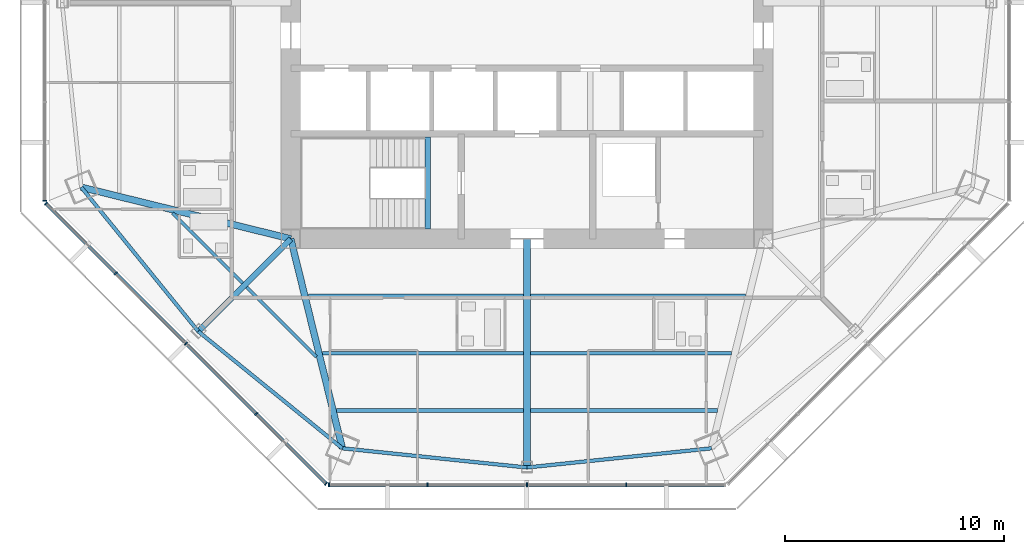
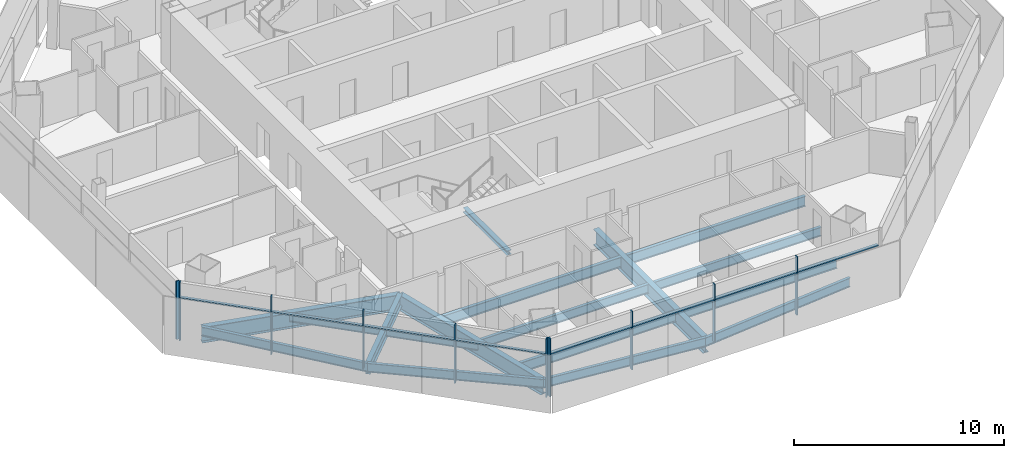
# One storey, part 2 of 15: 18 members, 17 beams, 3 elements without a shape of their own.
"""IFC4 building model written with IfcOpenShell, lengths in metres."""

from ifc_helpers import new_model, si_unit, direction, frame, origin, origin_2d, place, context, subcontext, project, spatial, rectangle, i_section, extrude, source, transform, mapped, material, material_profile, profile_set, type_object, type_shapes, element, aggregate, save


model = new_model("IFC4")

# Units and contexts
model_context = context("Model", 3, precision=1e-05, world=origin(), true_north=direction((0.0, 1.0)))
body_context = subcontext(model_context, "Body", "Model", "MODEL_VIEW")
ifc_project = project(units=[si_unit("LENGTHUNIT", "METRE"), si_unit("AREAUNIT", "SQUARE_METRE"), si_unit("VOLUMEUNIT", "CUBIC_METRE"), si_unit("PLANEANGLEUNIT", "RADIAN"), si_unit("MASSUNIT", "GRAM", prefix="KILO")], contexts=[model_context])

# Site, building, storey
site_placement = place(None, origin())
site = spatial("IfcSite", under=ifc_project, at=site_placement, CompositionType="ELEMENT")
building_placement = place(site_placement, origin())
building = spatial("IfcBuilding", under=site, at=building_placement, Name="Mashrafa Tower", CompositionType="ELEMENT")
storey_placement = place(building_placement, frame((0.0, 0.0, 210.800048828125)))
storey = spatial("IfcBuildingStorey", under=building, at=storey_placement, Name="L48", CompositionType="ELEMENT", Elevation=210.800048828125)

# Beams
ifc_material_1 = material(Name="Steel ASTM A992", Category="steel")
ifc_material_profile_1 = material_profile(ifc_material_1, i_section(OverallWidth=0.15234375, OverallDepth=0.449462890625, WebThickness=0.007568359375, FlangeThickness=0.0107421875, FilletRadius=0.01025390625, at=origin_2d()), Name="W18X35")
ifc_profile_set_1 = profile_set([ifc_material_profile_1], Name="Steel ASTM A992")
beam_type_1 = type_object("IfcBeamType", Name="Beam W18X35", PredefinedType="BEAM", material=ifc_profile_set_1)
for number, where, z_axis, x_axis, name in (
    (1, (-13.00537109375, -12.82568359375, -0.4248046875), (-0.707106781187, 0.707106781187, 0.0), (-0.707106781187, -0.707106781187, 0.0), "Floor beam L48 008"),
    (2, (-9.6259765625, -16.205078125, -0.4248046875), (-0.707106781187, 0.707106781187, 0.0), (-0.707106781187, -0.707106781187, 0.0), "Floor beam L48 012"),
):
    element("IfcBeam", number, at=place(storey_placement, frame(where, z_axis=z_axis, x_axis=x_axis)), inside=storey, type_object=beam_type_1, Name=name, PredefinedType="BEAM", context=body_context, shape_type="SweptSolid", body=[
        extrude(i_section(OverallWidth=0.15234375, OverallDepth=0.449462890625, WebThickness=0.007568359375, FlangeThickness=0.0107421875, FilletRadius=0.01025390625, at=origin_2d()), origin(), (0.0, 0.0, 1.0), 4.525146484375),
    ])
ifc_material_2 = material(Name="Steel ASTM A992", Category="steel")
ifc_material_profile_2 = material_profile(ifc_material_2, i_section(OverallWidth=0.1650390625, OverallDepth=0.52587890625, WebThickness=0.0087890625, FlangeThickness=0.011474609375, FilletRadius=0.0126953125, at=origin_2d()), Name="W21X44")
ifc_profile_set_2 = profile_set([ifc_material_profile_2], Name="Steel ASTM A992")
beam_type_2 = type_object("IfcBeamType", Name="Beam W21X44", PredefinedType="BEAM", material=ifc_profile_set_2)
for number, where, z_axis, x_axis, name in (
    (3, (-0.15380859375, -16.028564453125, -0.462890625), (-1.0, 0.0, 0.0), (0.0, -1.0, 0.0), "Floor beam L48 015"),
    (4, (9.35546875, -16.028564453125, -0.462890625), (-1.0, 0.0, 0.0), (0.0, -1.0, 0.0), "Floor beam L48 022"),
):
    element("IfcBeam", number, at=place(storey_placement, frame(where, z_axis=z_axis, x_axis=x_axis)), inside=storey, type_object=beam_type_2, Name=name, PredefinedType="BEAM", context=body_context, shape_type="SweptSolid", body=[
        extrude(i_section(OverallWidth=0.1650390625, OverallDepth=0.52587890625, WebThickness=0.0087890625, FlangeThickness=0.011474609375, FilletRadius=0.0126953125, at=origin_2d()), origin(), (0.0, 0.0, 1.0), 9.20166015625),
    ])
for number, where, z_axis, x_axis, name in (
    (5, (-20.37890625, -8.441162109375, -0.462890625), (0.630141993173, -0.776479921466, 0.0), (0.776479921466, 0.630141993173, 0.0), "Spandrel beam L48 050"),
    (6, (-15.031005859375, -15.031005859375, -0.462890625), (0.776479921466, -0.630141993173, 0.0), (0.630141993173, 0.776479921466, 0.0), "Spandrel beam L48 052"),
    (7, (-8.441162109375, -20.37890625, -0.462890625), (0.994631925651, -0.103476241115, 0.0), (0.103476241115, 0.994631925651, 0.0), "Spandrel beam L48 054"),
    (8, (0.0, -21.257080078125, -0.462890625), (0.994631925651, 0.103476241115, 0.0), (-0.103476241115, 0.994631925651, 0.0), "Spandrel beam L48 056"),
):
    element("IfcBeam", number, at=place(storey_placement, frame(where, z_axis=z_axis, x_axis=x_axis)), inside=storey, type_object=beam_type_2, Name=name, PredefinedType="BEAM", context=body_context, shape_type="SweptSolid", body=[
        extrude(i_section(OverallWidth=0.1650390625, OverallDepth=0.52587890625, WebThickness=0.0087890625, FlangeThickness=0.011474609375, FilletRadius=0.0126953125, at=origin_2d()), origin(), (0.0, 0.0, 1.0), 8.48681640625),
    ])
ifc_material_3 = material(Name="Steel ASTM A992", Category="steel")
ifc_material_profile_3 = material_profile(ifc_material_3, i_section(OverallWidth=0.177978515625, OverallDepth=0.599365234375, WebThickness=0.010009765625, FlangeThickness=0.012939453125, FilletRadius=0.012939453125, at=origin_2d()), Name="W24X55")
ifc_profile_set_3 = profile_set([ifc_material_profile_3], Name="Steel ASTM A992")
beam_type_3 = type_object("IfcBeamType", Name="Beam W24X55", PredefinedType="BEAM", material=ifc_profile_set_3)
beam_1_placement = place(storey_placement, frame((-0.15380859375, -18.642822265625, -0.499755859375), z_axis=(-1.0, 0.0, 0.0), x_axis=(0.0, -1.0, 0.0)))
element("IfcBeam", 9, at=beam_1_placement, inside=storey, type_object=beam_type_3, Name="Floor beam L48 014", PredefinedType="BEAM", context=body_context, shape_type="SweptSolid", body=[
    extrude(i_section(OverallWidth=0.177978515625, OverallDepth=0.599365234375, WebThickness=0.010009765625, FlangeThickness=0.012939453125, FilletRadius=0.012939453125, at=origin_2d()), origin(), (0.0, 0.0, 1.0), 8.557861328125),
])
beam_2_placement = place(storey_placement, frame((-0.15380859375, -13.414306640625, -0.499755859375), z_axis=(-1.0, 0.0, 0.0), x_axis=(0.0, -1.0, 0.0)))
element("IfcBeam", 10, at=beam_2_placement, inside=storey, type_object=beam_type_3, Name="Floor beam L48 016", PredefinedType="BEAM", context=body_context, shape_type="SweptSolid", body=[
    extrude(i_section(OverallWidth=0.177978515625, OverallDepth=0.599365234375, WebThickness=0.010009765625, FlangeThickness=0.012939453125, FilletRadius=0.012939453125, at=origin_2d()), origin(), (0.0, 0.0, 1.0), 9.845458984375),
])
beam_3_placement = place(storey_placement, frame((8.711669921875, -18.642822265625, -0.499755859375), z_axis=(-1.0, 0.0, 0.0), x_axis=(0.0, -1.0, 0.0)))
element("IfcBeam", 11, at=beam_3_placement, inside=storey, type_object=beam_type_3, Name="Floor beam L48 020", PredefinedType="BEAM", context=body_context, shape_type="SweptSolid", body=[
    extrude(i_section(OverallWidth=0.177978515625, OverallDepth=0.599365234375, WebThickness=0.010009765625, FlangeThickness=0.012939453125, FilletRadius=0.012939453125, at=origin_2d()), origin(), (0.0, 0.0, 1.0), 8.557861328125),
])
beam_4_placement = place(storey_placement, frame((9.999267578125, -13.414306640625, -0.499755859375), z_axis=(-1.0, 0.0, 0.0), x_axis=(0.0, -1.0, 0.0)))
element("IfcBeam", 12, at=beam_4_placement, inside=storey, type_object=beam_type_3, Name="Floor beam L48 023", PredefinedType="BEAM", context=body_context, shape_type="SweptSolid", body=[
    extrude(i_section(OverallWidth=0.177978515625, OverallDepth=0.599365234375, WebThickness=0.010009765625, FlangeThickness=0.012939453125, FilletRadius=0.012939453125, at=origin_2d()), origin(), (0.0, 0.0, 1.0), 9.845458984375),
])
ifc_material_4 = material(Name="Steel ASTM A992", Category="steel")
ifc_material_profile_4 = material_profile(ifc_material_4, i_section(OverallWidth=0.25390625, OverallDepth=0.67822265625, WebThickness=0.01171875, FlangeThickness=0.016357421875, FilletRadius=0.01513671875, at=origin_2d()), Name="W27X84")
ifc_profile_set_4 = profile_set([ifc_material_profile_4], Name="Steel ASTM A992")
beam_type_4 = type_object("IfcBeamType", Name="Beam W27X84", PredefinedType="BEAM", material=ifc_profile_set_4)
beam_5_placement = place(storey_placement, frame((-10.800048828125, -10.800048828125, -0.5390625), z_axis=(-0.707106781187, -0.707106781187, 0.0), x_axis=(0.707106781187, -0.707106781187, 0.0)))
element("IfcBeam", 13, at=beam_5_placement, inside=storey, type_object=beam_type_4, Name="Radial girder L48 034", PredefinedType="BEAM", context=body_context, shape_type="SweptSolid", body=[
    extrude(i_section(OverallWidth=0.25390625, OverallDepth=0.67822265625, WebThickness=0.01171875, FlangeThickness=0.016357421875, FilletRadius=0.01513671875, at=origin_2d()), origin(), (0.0, 0.0, 1.0), 5.9833984375),
])
ifc_material_5 = material(Name="Steel ASTM A992", Category="steel")
ifc_material_profile_5 = material_profile(ifc_material_5, i_section(OverallWidth=0.3046875, OverallDepth=0.911865234375, WebThickness=0.015869140625, FlangeThickness=0.02392578125, FilletRadius=0.01904296875, at=origin_2d()), Name="W36X150")
ifc_profile_set_5 = profile_set([ifc_material_profile_5], Name="Steel ASTM A992")
beam_type_5 = type_object("IfcBeamType", Name="Beam W36X150", PredefinedType="BEAM", material=ifc_profile_set_5)
for number, where, z_axis, x_axis, name in (
    (14, (-10.800048828125, -10.800048828125, -0.656005859375), (-0.9709910152, 0.2391159727, 0.0), (-0.2391159727, -0.9709910152, 0.0), "Radial girder L48 033"),
    (15, (-10.800048828125, -10.800048828125, -0.656005859375), (0.2391159727, -0.9709910152, 0.0), (0.9709910152, 0.2391159727, 0.0), "Radial girder L48 035"),
):
    element("IfcBeam", number, at=place(storey_placement, frame(where, z_axis=z_axis, x_axis=x_axis)), inside=storey, type_object=beam_type_5, Name=name, PredefinedType="BEAM", context=body_context, shape_type="SweptSolid", body=[
        extrude(i_section(OverallWidth=0.3046875, OverallDepth=0.911865234375, WebThickness=0.015869140625, FlangeThickness=0.02392578125, FilletRadius=0.01904296875, at=origin_2d()), origin(), (0.0, 0.0, 1.0), 9.864990234375),
    ])
ifc_material_6 = material(Name="Steel ASTM A992", Category="steel")
ifc_material_profile_6 = material_profile(ifc_material_6, i_section(OverallWidth=0.307373046875, OverallDepth=0.927001953125, WebThickness=0.01953125, FlangeThickness=0.031982421875, FilletRadius=0.01904296875, at=origin_2d()), Name="W36X194")
ifc_profile_set_6 = profile_set([ifc_material_profile_6], Name="Steel ASTM A992")
beam_type_6 = type_object("IfcBeamType", Name="Beam W36X194", PredefinedType="BEAM", material=ifc_profile_set_6)
beam_6_placement = place(storey_placement, frame((0.0, -10.800048828125, -0.66357421875), z_axis=(0.0, -1.0, 0.0), x_axis=(1.0, 0.0, 0.0)))
element("IfcBeam", 16, at=beam_6_placement, inside=storey, type_object=beam_type_6, Name="Radial girder L48 040", PredefinedType="BEAM", context=body_context, shape_type="SweptSolid", body=[
    extrude(i_section(OverallWidth=0.307373046875, OverallDepth=0.927001953125, WebThickness=0.01953125, FlangeThickness=0.031982421875, FilletRadius=0.01904296875, at=origin_2d()), origin(), (0.0, 0.0, 1.0), 10.45703125),
])
ifc_material_7 = material(Name="Steel ASTM A992", Category="steel")
ifc_material_profile_7 = material_profile(ifc_material_7, i_section(OverallWidth=0.25390625, OverallDepth=0.25390625, WebThickness=0.008544921875, FlangeThickness=0.01416015625, FilletRadius=0.010009765625, at=origin_2d()), Name="W10X49")
ifc_profile_set_7 = profile_set([ifc_material_profile_7], Name="Steel ASTM A992")
beam_type_7 = type_object("IfcBeamType", Name="Hoistway beam W10X49", PredefinedType="BEAM", material=ifc_profile_set_7)
beam_7_placement = place(storey_placement, frame((-4.530029296875, -10.35009765625, -0.3271484375), z_axis=(0.0, 1.0, 0.0), x_axis=(-1.0, 0.0, 0.0)))
element("IfcBeam", 17, at=beam_7_placement, inside=storey, type_object=beam_type_7, Name="Stair S3 landing beam L48", PredefinedType="BEAM", context=body_context, shape_type="SweptSolid", body=[
    extrude(i_section(OverallWidth=0.25390625, OverallDepth=0.25390625, WebThickness=0.008544921875, FlangeThickness=0.01416015625, FilletRadius=0.010009765625, at=origin_2d()), origin(), (0.0, 0.0, 1.0), 4.2001953125),
])

# Curtain wall, member
ifc_material_8 = material(Name="Unitised aluminium curtain wall", Category="aluminium")
curtain_wall_type = type_object("IfcCurtainWallType", Name="Apartment curtain wall, zone 3 CW-C 180 deep", PredefinedType="NOTDEFINED", material=ifc_material_8)
curtain_wall_1_placement = place(storey_placement, origin())
curtain_wall_1 = element("IfcCurtainWall", 18, at=curtain_wall_1_placement, inside=storey, type_object=curtain_wall_type, Name="Apartment curtain wall, zone 3 L48 west", PredefinedType="NOTDEFINED")
ifc_material_9 = material(Name="Extruded aluminium mullion", Category="aluminium")
ifc_material_profile_8 = material_profile(ifc_material_9, rectangle(XDim=0.179931640625, YDim=0.06005859375, at=origin_2d()), Name="Mullion 60x180")
ifc_profile_set_8 = profile_set([ifc_material_profile_8], Name="Extruded aluminium mullion")
member_type_1 = type_object("IfcMemberType", Name="Mullion CW-C 60 x 180", PredefinedType="MULLION", material=ifc_profile_set_8)
shared_shape_1 = source(origin(), body_context, "Body", "SweptSolid", [
    extrude(rectangle(XDim=0.179931640625, YDim=0.06005859375, at=origin_2d()), origin(), (0.0, 0.0, 1.0), 3.39990234375),
])
type_shapes(member_type_1, [shared_shape_1])
member_1_placement = place(storey_placement, frame((-22.051513671875, -9.056640625, 0.0), z_axis=(0.0, 0.0, 1.0), x_axis=(1.0, 0.0, 0.0)))
member_1 = element("IfcMember", 19, at=member_1_placement, type_object=member_type_1, Name="CW-C mullion 5", PredefinedType="MULLION", context=body_context, shape_type="MappedRepresentation", body=[
    mapped(shared_shape_1, transform((0.0, 0.0, 0.0))),
])
aggregate(curtain_wall_1, [member_1])

# Curtain wall, members
curtain_wall_2_placement = place(storey_placement, origin())
curtain_wall_2 = element("IfcCurtainWall", 20, at=curtain_wall_2_placement, inside=storey, type_object=curtain_wall_type, Name="Apartment curtain wall, zone 3 L48 south-west", PredefinedType="NOTDEFINED")
member_2_placement = place(storey_placement, frame((-21.996826171875, -9.188720703125, 0.0), z_axis=(0.0, 0.0, 1.0), x_axis=(0.707106781187, 0.707106781187, 0.0)))
member_2 = element("IfcMember", 21, at=member_2_placement, type_object=member_type_1, Name="CW-C mullion 1", PredefinedType="MULLION", context=body_context, shape_type="MappedRepresentation", body=[
    mapped(shared_shape_1, transform((0.0, 0.0, 0.0))),
])
member_3_placement = place(storey_placement, frame((-18.805419921875, -12.380126953125, 0.0), z_axis=(0.0, 0.0, 1.0), x_axis=(0.707106781187, 0.707106781187, 0.0)))
member_3 = element("IfcMember", 22, at=member_3_placement, type_object=member_type_1, Name="CW-C mullion 2", PredefinedType="MULLION", context=body_context, shape_type="MappedRepresentation", body=[
    mapped(shared_shape_1, transform((0.0, 0.0, 0.0))),
])
member_4_placement = place(storey_placement, frame((-15.5927734375, -15.5927734375, 0.0), z_axis=(0.0, 0.0, 1.0), x_axis=(0.707106781187, 0.707106781187, 0.0)))
member_4 = element("IfcMember", 23, at=member_4_placement, type_object=member_type_1, Name="CW-C mullion 3", PredefinedType="MULLION", context=body_context, shape_type="MappedRepresentation", body=[
    mapped(shared_shape_1, transform((0.0, 0.0, 0.0))),
])
member_5_placement = place(storey_placement, frame((-12.380126953125, -18.805419921875, 0.0), z_axis=(0.0, 0.0, 1.0), x_axis=(0.707106781187, 0.707106781187, 0.0)))
member_5 = element("IfcMember", 24, at=member_5_placement, type_object=member_type_1, Name="CW-C mullion 4", PredefinedType="MULLION", context=body_context, shape_type="MappedRepresentation", body=[
    mapped(shared_shape_1, transform((0.0, 0.0, 0.0))),
])
member_6_placement = place(storey_placement, frame((-9.188720703125, -21.996826171875, 0.0), z_axis=(0.0, 0.0, 1.0), x_axis=(0.707106781187, 0.707106781187, 0.0)))
member_6 = element("IfcMember", 25, at=member_6_placement, type_object=member_type_1, Name="CW-C mullion 5", PredefinedType="MULLION", context=body_context, shape_type="MappedRepresentation", body=[
    mapped(shared_shape_1, transform((0.0, 0.0, 0.0))),
])

curtain_wall_3_placement = place(storey_placement, origin())
curtain_wall_3 = element("IfcCurtainWall", 26, at=curtain_wall_3_placement, inside=storey, type_object=curtain_wall_type, Name="Apartment curtain wall, zone 3 L48 south", PredefinedType="NOTDEFINED")
member_7_placement = place(storey_placement, frame((-9.056640625, -22.051513671875, 0.0), z_axis=(0.0, 0.0, 1.0), x_axis=(0.0, 1.0, 0.0)))
member_7 = element("IfcMember", 27, at=member_7_placement, type_object=member_type_1, Name="CW-C mullion 1", PredefinedType="MULLION", context=body_context, shape_type="MappedRepresentation", body=[
    mapped(shared_shape_1, transform((0.0, 0.0, 0.0))),
])
member_8_placement = place(storey_placement, frame((-4.54345703125, -22.051513671875, 0.0), z_axis=(0.0, 0.0, 1.0), x_axis=(0.0, 1.0, 0.0)))
member_8 = element("IfcMember", 28, at=member_8_placement, type_object=member_type_1, Name="CW-C mullion 2", PredefinedType="MULLION", context=body_context, shape_type="MappedRepresentation", body=[
    mapped(shared_shape_1, transform((0.0, 0.0, 0.0))),
])
member_9_placement = place(storey_placement, frame((0.0, -22.051513671875, 0.0), z_axis=(0.0, 0.0, 1.0), x_axis=(0.0, 1.0, 0.0)))
member_9 = element("IfcMember", 29, at=member_9_placement, type_object=member_type_1, Name="CW-C mullion 3", PredefinedType="MULLION", context=body_context, shape_type="MappedRepresentation", body=[
    mapped(shared_shape_1, transform((0.0, 0.0, 0.0))),
])
member_10_placement = place(storey_placement, frame((4.54345703125, -22.051513671875, 0.0), z_axis=(0.0, 0.0, 1.0), x_axis=(0.0, 1.0, 0.0)))
member_10 = element("IfcMember", 30, at=member_10_placement, type_object=member_type_1, Name="CW-C mullion 4", PredefinedType="MULLION", context=body_context, shape_type="MappedRepresentation", body=[
    mapped(shared_shape_1, transform((0.0, 0.0, 0.0))),
])

# Member
ifc_material_10 = material(Name="Extruded aluminium transom", Category="aluminium")
ifc_material_profile_9 = material_profile(ifc_material_10, rectangle(XDim=0.14404296875, YDim=0.074951171875, at=origin_2d()), Name="Transom 75x144")
ifc_profile_set_9 = profile_set([ifc_material_profile_9], Name="Extruded aluminium transom")
member_type_2 = type_object("IfcMemberType", Name="Transom CW-C 75 x 144", PredefinedType="MULLION", material=ifc_profile_set_9)
shared_shape_2 = source(origin(), body_context, "Body", "SweptSolid", [
    extrude(rectangle(XDim=0.14404296875, YDim=0.074951171875, at=origin_2d()), origin(), (0.0, 0.0, 1.0), 4.453369140625),
])
member_11_placement = place(storey_placement, frame((-21.9755859375, -9.2099609375, 2.5), z_axis=(0.707106781187, -0.707106781187, 0.0), x_axis=(0.707106781187, 0.707106781187, 0.0)))
member_11 = element("IfcMember", 31, at=member_11_placement, type_object=member_type_2, Name="CW-C transom 1", PredefinedType="MULLION", context=body_context, shape_type="MappedRepresentation", body=[
    mapped(shared_shape_2, transform((0.0, 0.0, 0.0))),
])

member_12_placement = place(storey_placement, frame((-12.35888671875, -18.82666015625, 2.5), z_axis=(0.707106781187, -0.707106781187, 0.0), x_axis=(0.707106781187, 0.707106781187, 0.0)))
member_12 = element("IfcMember", 32, at=member_12_placement, type_object=member_type_2, Name="CW-C transom 4", PredefinedType="MULLION", context=body_context, shape_type="MappedRepresentation", body=[
    mapped(shared_shape_2, transform((0.0, 0.0, 0.0))),
])

member_13_placement = place(storey_placement, frame((-9.02685546875, -22.051513671875, 2.5), z_axis=(1.0, 0.0, 0.0), x_axis=(0.0, 1.0, 0.0)))
member_13 = element("IfcMember", 33, at=member_13_placement, type_object=member_type_2, Name="CW-C transom 1", PredefinedType="MULLION", context=body_context, shape_type="MappedRepresentation", body=[
    mapped(shared_shape_2, transform((0.0, 0.0, 0.0))),
])

member_14_placement = place(storey_placement, frame((4.573486328125, -22.051513671875, 2.5), z_axis=(1.0, 0.0, 0.0), x_axis=(0.0, 1.0, 0.0)))
member_14 = element("IfcMember", 34, at=member_14_placement, type_object=member_type_2, Name="CW-C transom 4", PredefinedType="MULLION", context=body_context, shape_type="MappedRepresentation", body=[
    mapped(shared_shape_2, transform((0.0, 0.0, 0.0))),
])

shared_shape_3 = source(origin(), body_context, "Body", "SweptSolid", [
    extrude(rectangle(XDim=0.14404296875, YDim=0.074951171875, at=origin_2d()), origin(), (0.0, 0.0, 1.0), 4.4833984375),
])
type_shapes(member_type_2, [shared_shape_2, shared_shape_3])
member_15_placement = place(storey_placement, frame((-18.7841796875, -12.4013671875, 2.5), z_axis=(0.707106781187, -0.707106781187, 0.0), x_axis=(0.707106781187, 0.707106781187, 0.0)))
member_15 = element("IfcMember", 35, at=member_15_placement, type_object=member_type_2, Name="CW-C transom 2", PredefinedType="MULLION", context=body_context, shape_type="MappedRepresentation", body=[
    mapped(shared_shape_3, transform((0.0, 0.0, 0.0))),
])

member_16_placement = place(storey_placement, frame((-15.571533203125, -15.614013671875, 2.5), z_axis=(0.707106781187, -0.707106781187, 0.0), x_axis=(0.707106781187, 0.707106781187, 0.0)))
member_16 = element("IfcMember", 36, at=member_16_placement, type_object=member_type_2, Name="CW-C transom 3", PredefinedType="MULLION", context=body_context, shape_type="MappedRepresentation", body=[
    mapped(shared_shape_3, transform((0.0, 0.0, 0.0))),
])

aggregate(curtain_wall_2, [member_2, member_3, member_4, member_5, member_6, member_11, member_15, member_16, member_12])

member_17_placement = place(storey_placement, frame((-4.513427734375, -22.051513671875, 2.5), z_axis=(1.0, 0.0, 0.0), x_axis=(0.0, 1.0, 0.0)))
member_17 = element("IfcMember", 37, at=member_17_placement, type_object=member_type_2, Name="CW-C transom 2", PredefinedType="MULLION", context=body_context, shape_type="MappedRepresentation", body=[
    mapped(shared_shape_3, transform((0.0, 0.0, 0.0))),
])

member_18_placement = place(storey_placement, frame((0.030029296875, -22.051513671875, 2.5), z_axis=(1.0, 0.0, 0.0), x_axis=(0.0, 1.0, 0.0)))
member_18 = element("IfcMember", 38, at=member_18_placement, type_object=member_type_2, Name="CW-C transom 3", PredefinedType="MULLION", context=body_context, shape_type="MappedRepresentation", body=[
    mapped(shared_shape_3, transform((0.0, 0.0, 0.0))),
])

aggregate(curtain_wall_3, [member_7, member_8, member_9, member_10, member_13, member_17, member_18, member_14])

save(model, "model.ifc")
